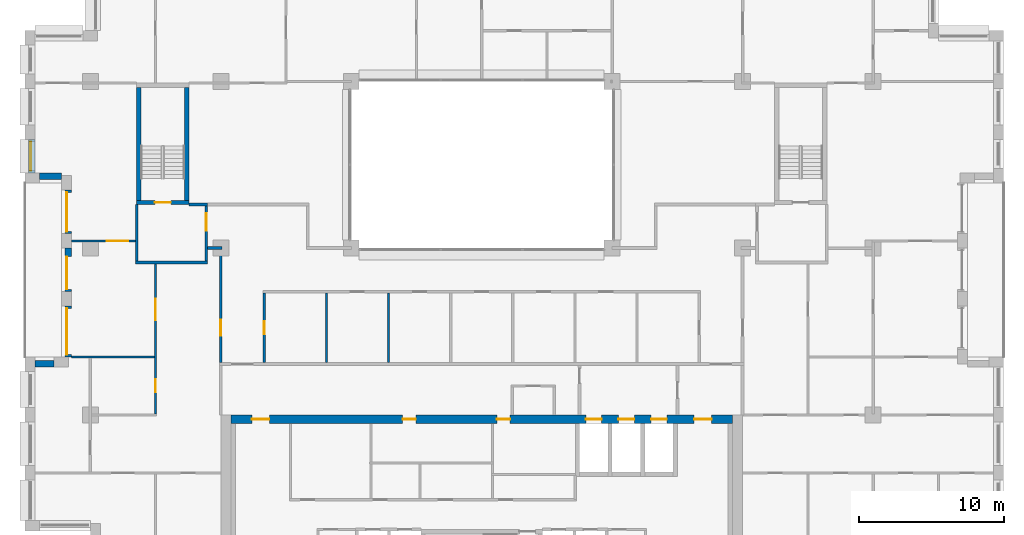
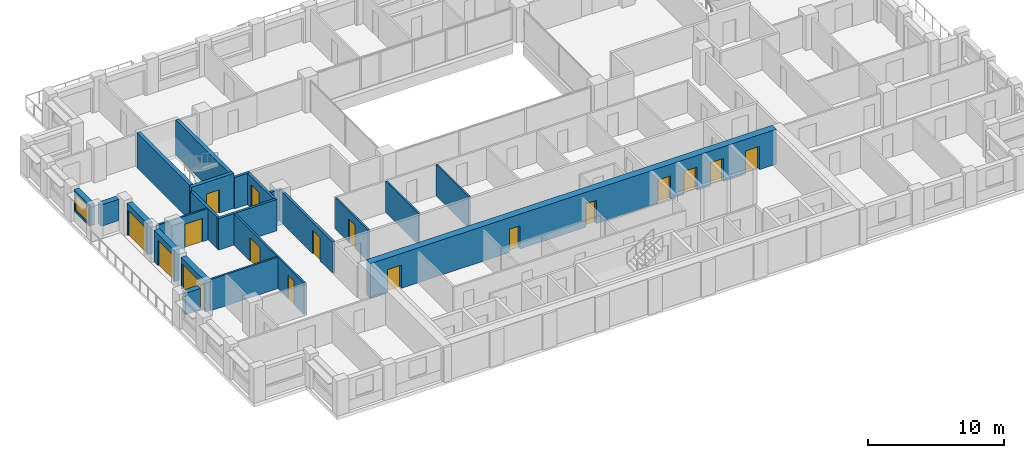
# One storey, part 9 of 15: 22 walls, 17 doors, 1 window, 18 openings.
"""IFC4 building model written with IfcOpenShell, lengths in metres."""

import ifcopenshell
import ifcopenshell.guid

model = None  # the IFC model being written
_history = None  # IfcOwnerHistory: only IFC2X3 demands one
_inside = {}  # id of a spatial element -> (the spatial element, [elements in it])
_under = {}  # id of a project, library or spatial element -> (it, [spatial elements below it])
_declared = {}  # id of a project -> (the project, [libraries it declares])
_typed = {}  # id of a type object -> (the type object, [elements of that type])
_made_of = {}  # id of a material, layer set ... -> (it, [elements and type objects made of it])


def new_model(schema):
    """Start an empty IFC model of exactly this schema.

    Asked for "IFC4X3", IfcOpenShell would pick the latest addendum, in which some entities
    have other attributes; the version numbers below select the first issue.
    IFC2X3 requires an IfcOwnerHistory on every rooted entity: one is made here for all.
    """
    global model, _history
    if schema == "IFC4X3":
        model = ifcopenshell.file(schema_version=(4, 3, 0, 0))
    else:
        model = ifcopenshell.file(schema=schema)
    _inside.clear()
    _under.clear()
    _declared.clear()
    _typed.clear()
    _made_of.clear()
    _history = None
    if model.schema == "IFC2X3":
        org = make("IfcOrganization", Name="unknown")
        user = make(
            "IfcPersonAndOrganization",
            ThePerson=make("IfcPerson", FamilyName="unknown"),
            TheOrganization=org,
        )
        app = make(
            "IfcApplication",
            ApplicationDeveloper=org,
            Version="unknown",
            ApplicationFullName="unknown",
            ApplicationIdentifier="unknown",
        )
        _history = make(
            "IfcOwnerHistory",
            OwningUser=user,
            OwningApplication=app,
            ChangeAction="ADDED",
            CreationDate=0,
        )
    return model


def make(cls, **values):
    """One entity of the class cls with the attributes given. An attribute that is None is left unset."""
    return model.create_entity(
        cls, **{name: value for name, value in values.items() if value is not None}
    )


def rooted(cls, **values):
    """An entity with a GlobalId (a new one), such as an element, a storey or a relation."""
    return make(cls, GlobalId=ifcopenshell.guid.new(), OwnerHistory=_history, **values)


def si_unit(unit_type, name, prefix=None):
    """IfcSIUnit, for example si_unit("LENGTHUNIT", "METRE", prefix="MILLI")."""
    return make("IfcSIUnit", UnitType=unit_type, Prefix=prefix, Name=name)


def assignment(units):
    """IfcUnitAssignment: the units of a project."""
    return None if units is None else make("IfcUnitAssignment", Units=units)


def point(xyz):
    """IfcCartesianPoint."""
    return None if xyz is None else make("IfcCartesianPoint", Coordinates=xyz)


def direction(xyz):
    """IfcDirection."""
    return None if xyz is None else make("IfcDirection", DirectionRatios=xyz)


def frame(location, z_axis=None, x_axis=None):
    """IfcAxis2Placement3D, a coordinate frame: its origin and axes. An axis left out is left unset."""
    return make(
        "IfcAxis2Placement3D",
        Location=point(location),
        Axis=direction(z_axis),
        RefDirection=direction(x_axis),
    )


def frame_2d(location, x_axis=None):
    """IfcAxis2Placement2D, a coordinate frame in the plane: its origin and x axis."""
    return make(
        "IfcAxis2Placement2D", Location=point(location), RefDirection=direction(x_axis)
    )


def origin():
    """The frame at (0, 0, 0) with its axes left unset."""
    return frame((0.0, 0.0, 0.0))


def place(relative_to, where):
    """IfcLocalPlacement: puts the frame where relative to a parent placement (None: the world)."""
    return make(
        "IfcLocalPlacement", PlacementRelTo=relative_to, RelativePlacement=where
    )


def context(
    kind, dimensions, precision=None, world=None, true_north=None, identifier=None
):
    """IfcGeometricRepresentationContext, for example the 3D "Model" context."""
    return make(
        "IfcGeometricRepresentationContext",
        ContextIdentifier=identifier,
        ContextType=kind,
        CoordinateSpaceDimension=dimensions,
        Precision=precision,
        WorldCoordinateSystem=world,
        TrueNorth=true_north,
    )


def subcontext(parent, identifier, kind, view, scale=None):
    """IfcGeometricRepresentationSubContext, for example "Body" below "Model"."""
    return make(
        "IfcGeometricRepresentationSubContext",
        ContextIdentifier=identifier,
        ContextType=kind,
        ParentContext=parent,
        TargetScale=scale,
        TargetView=view,
    )


def project(units=None, contexts=None):
    """IfcProject with its units and contexts."""
    return rooted(
        "IfcProject",
        Name="project",
        RepresentationContexts=contexts,
        UnitsInContext=assignment(units),
    )


def spatial(cls, under=None, at=None, **own):
    """A site, building, storey or space (cls), placed at a placement, below another one or the project."""
    s = rooted(cls, ObjectPlacement=at, **own)
    if under is not None:
        _under.setdefault(under.id(), (under, []))[1].append(s)
    return s


def profile(cls, at=None, kind="AREA", **sizes):
    """A parametric profile (cls). Its sizes go by their IFC names, for example OverallWidth=200.0."""
    return make(cls, ProfileType=kind, Position=at, **sizes)


def rectangle(**sizes):
    """IfcRectangleProfileDef."""
    return profile("IfcRectangleProfileDef", **sizes)


def extrude(swept, where, along, depth):
    """IfcExtrudedAreaSolid: the profile swept, set in the frame where, extruded along a direction by depth."""
    return make(
        "IfcExtrudedAreaSolid",
        SweptArea=swept,
        Position=where,
        ExtrudedDirection=direction(along),
        Depth=depth,
    )


def shape(context_of_items, identifier, shape_type, items):
    """IfcShapeRepresentation: the items that make up one representation, for example the "Body"."""
    return make(
        "IfcShapeRepresentation",
        ContextOfItems=context_of_items,
        RepresentationIdentifier=identifier,
        RepresentationType=shape_type,
        Items=items,
    )


def material(Name=None, Category=None):
    """IfcMaterial."""
    return make("IfcMaterial", Name=Name, Category=Category)


def layer(
    of_material, thickness, ventilated=None, Name=None, Category=None, Priority=None
):
    """IfcMaterialLayer: one layer of a wall or slab, of a material (None: an air gap)."""
    return make(
        "IfcMaterialLayer",
        Material=of_material,
        LayerThickness=thickness,
        IsVentilated=ventilated,
        Name=Name,
        Category=Category,
        Priority=Priority,
    )


def layer_set(layers, Name=None):
    """IfcMaterialLayerSet."""
    return make("IfcMaterialLayerSet", MaterialLayers=layers, LayerSetName=Name)


def made_of(thing, what):
    """Note that an element or type object is made of a material, layer set ...; save() writes the relation."""
    if what is not None:
        _made_of.setdefault(what.id(), (what, []))[1].append(thing)
    return thing


def type_object(cls, material=None, **own):
    """A type object (cls), such as IfcWallType, which elements share."""
    return made_of(rooted(cls, **own), material)


def element(
    cls,
    number,
    at=None,
    inside=None,
    cuts=None,
    type_object=None,
    material=None,
    context=None,
    identifier="Body",
    shape_type=None,
    held_by="IfcProductDefinitionShape",
    body=None,
    shapes=None,
    **own,
):
    """One element of the class cls, such as IfcWall. Its Tag is "e" and its number.

    at: its placement. inside: the storey or other place that contains it. cuts: it is an
    opening in that element (IfcRelVoidsElement). A single representation is given by context,
    identifier, shape_type and body (its items); several are given by shapes. held_by: the class
    of the entity that holds the representations. save() writes the other relations.
    """
    e = rooted(cls, Tag="e%d" % number, ObjectPlacement=at, **own)
    if body is not None:
        shapes = [shape(context, identifier, shape_type, body)]
    if shapes is not None:
        e.Representation = make(held_by, Representations=shapes)
    if inside is not None:
        _inside.setdefault(inside.id(), (inside, []))[1].append(e)
    if cuts is not None:
        rooted(
            "IfcRelVoidsElement", RelatingBuildingElement=cuts, RelatedOpeningElement=e
        )
    if type_object is not None:
        _typed.setdefault(type_object.id(), (type_object, []))[1].append(e)
    return made_of(e, material)


def fill(opening, filler):
    """IfcRelFillsElement: the door or window that sits in an opening."""
    return rooted(
        "IfcRelFillsElement",
        RelatingOpeningElement=opening,
        RelatedBuildingElement=filler,
    )


def aggregate(whole, parts):
    """IfcRelAggregates: a whole, such as a stair, and the parts it consists of."""
    return rooted("IfcRelAggregates", RelatingObject=whole, RelatedObjects=parts)


def save(model, path):
    """Write the relations noted so far, then the file.

    IfcRelAggregates (storeys below a building ...), IfcRelContainedInSpatialStructure (elements
    in a storey), IfcRelDefinesByType, IfcRelAssociatesMaterial and IfcRelDeclares: one each for
    every whole, place, type object, material and project.
    """
    for whole, parts in _under.values():
        aggregate(whole, parts)
    for where, things in _inside.values():
        rooted(
            "IfcRelContainedInSpatialStructure",
            RelatedElements=things,
            RelatingStructure=where,
        )
    for kind, things in _typed.values():
        rooted("IfcRelDefinesByType", RelatedObjects=things, RelatingType=kind)
    for what, things in _made_of.values():
        rooted("IfcRelAssociatesMaterial", RelatedObjects=things, RelatingMaterial=what)
    for by, libraries in _declared.values():
        rooted("IfcRelDeclares", RelatingContext=by, RelatedDefinitions=libraries)
    model.write(path)


model = new_model("IFC4")

# Units and contexts
model_context = context("Model", 3, precision=1e-05, world=origin(), true_north=direction((0.0, 1.0)))
body_context = subcontext(model_context, "Body", "Model", "MODEL_VIEW")
ifc_project = project(units=[si_unit("LENGTHUNIT", "METRE"), si_unit("AREAUNIT", "SQUARE_METRE"), si_unit("VOLUMEUNIT", "CUBIC_METRE"), si_unit("PLANEANGLEUNIT", "RADIAN"), si_unit("MASSUNIT", "GRAM", prefix="KILO")], contexts=[model_context])

# Site, building, storey
site_placement = place(None, origin())
site = spatial("IfcSite", under=ifc_project, at=site_placement, CompositionType="ELEMENT")
building_placement = place(site_placement, origin())
building = spatial("IfcBuilding", under=site, at=building_placement, Name="Brigalow Station Residences", CompositionType="ELEMENT")
storey_placement = place(building_placement, frame((0.0, 0.0, 172.800048828125)))
storey = spatial("IfcBuildingStorey", under=building, at=storey_placement, Name="L50", CompositionType="ELEMENT", Elevation=172.800048828125)

# Wall, opening, window
ifc_material_1 = material(Name="Clay brick masonry", Category="masonry")
ifc_layer_1 = layer(ifc_material_1, 0.449951171875)
ifc_layer_set_1 = layer_set([ifc_layer_1], Name="BRICK INFILL WALL 450")
wall_type_1 = type_object("IfcWallType", Name="BRICK INFILL WALL 450", PredefinedType="SOLIDWALL", material=ifc_layer_set_1)
wall_1_placement = place(storey_placement, frame((4.97509765625, 31.5, 0.89990234375), z_axis=(0.0, 0.0, 1.0), x_axis=(0.0, -1.0, 0.0)))
wall_1 = element("IfcWall", 1, at=wall_1_placement, inside=storey, type_object=wall_type_1, Name="L50/ewall/W-L50-39", PredefinedType="SOLIDWALL", context=body_context, shape_type="SweptSolid", body=[
    extrude(rectangle(XDim=2.300048828125, YDim=0.449951171875, at=frame_2d((1.14990234375, 0.0))), origin(), (0.0, 0.0, 1.0), 1.929931640625),
])
opening_1_placement = place(wall_1_placement, frame((0.14990234375, 0.0, 0.14990234375)))
opening_1 = element("IfcOpeningElement", 2, at=opening_1_placement, cuts=wall_1, Name="Opening WT-7", PredefinedType="OPENING", context=body_context, shape_type="SweptSolid", body=[
    extrude(rectangle(XDim=2.0, YDim=1.5, at=frame_2d((1.0, 0.75))), frame((0.0, 0.23486328125, 0.0), z_axis=(0.0, -1.0, 0.0), x_axis=(1.0, 0.0, 0.0)), (0.0, 0.0, 1.0), 0.469970703125),
])
ifc_material_2 = material(Name="Anodised aluminium frame with double glazing", Category="aluminium")
window_type = type_object("IfcWindowType", Name="WINDOW 2000x1500", PartitioningType="SINGLE_PANEL", PredefinedType="WINDOW", material=ifc_material_2)
window_placement = place(opening_1_placement, origin())
window = element("IfcWindow", 3, at=window_placement, inside=storey, type_object=window_type, Name="L50/window/W-L50-39", OverallHeight=1.5, OverallWidth=2.0, PartitioningType="SINGLE_PANEL", PredefinedType="WINDOW", context=body_context, shape_type="SweptSolid", body=[
    extrude(rectangle(XDim=2.0, YDim=1.5, at=frame_2d((1.0, 0.75))), frame((0.0, -0.06494140625, 0.0), z_axis=(0.0, -1.0, 0.0), x_axis=(1.0, 0.0, 0.0)), (0.0, 0.0, 1.0), 0.06005859375),
])
fill(opening_1, window)

# Wall
wall_2_placement = place(storey_placement, frame((5.5, 28.97509765625, 0.89990234375), z_axis=(0.0, 0.0, 1.0), x_axis=(1.0, 0.0, 0.0)))
element("IfcWall", 4, at=wall_2_placement, inside=storey, type_object=wall_type_1, Name="L50/ewall/W-L50-40", PredefinedType="SOLIDWALL", context=body_context, shape_type="SweptSolid", body=[
    extrude(rectangle(XDim=1.5, YDim=0.449951171875, at=frame_2d((0.75, 0.0))), origin(), (0.0, 0.0, 1.0), 1.929931640625),
])

# Wall, opening, door
wall_3_placement = place(storey_placement, frame((7.47509765625, 28.0, 0.0), z_axis=(0.0, 0.0, 1.0), x_axis=(0.0, -1.0, 0.0)))
wall_3 = element("IfcWall", 5, at=wall_3_placement, inside=storey, type_object=wall_type_1, Name="L50/ewall/W-L50-41", PredefinedType="SOLIDWALL", context=body_context, shape_type="SweptSolid", body=[
    extrude(rectangle(XDim=3.0, YDim=0.449951171875, at=frame_2d((1.5, 0.0))), origin(), (0.0, 0.0, 1.0), 2.829833984375),
])
opening_2_placement = place(wall_3_placement, frame((0.14990234375, 0.0, 0.0)))
opening_2 = element("IfcOpeningElement", 6, at=opening_2_placement, cuts=wall_3, Name="Opening D-B2700", PredefinedType="OPENING", context=body_context, shape_type="SweptSolid", body=[
    extrude(rectangle(XDim=2.699951171875, YDim=2.300048828125, at=frame_2d((1.35009765625, 1.14990234375))), frame((0.0, 0.23486328125, 0.0), z_axis=(0.0, -1.0, 0.0), x_axis=(1.0, 0.0, 0.0)), (0.0, 0.0, 1.0), 0.469970703125),
])
ifc_material_3 = material(Name="Anodised aluminium frame with double glazing", Category="aluminium")
door_type_1 = type_object("IfcDoorType", Name="BALCONY SLIDING DOOR 2700x2300", OperationType="SLIDING_TO_LEFT", PredefinedType="DOOR", material=ifc_material_3)
door_1_placement = place(opening_2_placement, origin())
door_1 = element("IfcDoor", 7, at=door_1_placement, inside=storey, type_object=door_type_1, Name="L50/balcony-door/W-L50-41", OperationType="SLIDING_TO_LEFT", OverallHeight=2.300048828125, OverallWidth=2.699951171875, PredefinedType="DOOR", context=body_context, shape_type="SweptSolid", body=[
    extrude(rectangle(XDim=2.699951171875, YDim=2.300048828125, at=frame_2d((1.35009765625, 1.14990234375))), frame((0.0, -0.06982421875, 0.0), z_axis=(0.0, -1.0, 0.0), x_axis=(1.0, 0.0, 0.0)), (0.0, 0.0, 1.0), 0.050048828125),
])
fill(opening_2, door_1)

wall_4_placement = place(storey_placement, frame((7.47509765625, 24.0, 0.0), z_axis=(0.0, 0.0, 1.0), x_axis=(0.0, -1.0, 0.0)))
wall_4 = element("IfcWall", 8, at=wall_4_placement, inside=storey, type_object=wall_type_1, Name="L50/ewall/W-L50-42", PredefinedType="SOLIDWALL", context=body_context, shape_type="SweptSolid", body=[
    extrude(rectangle(XDim=3.0, YDim=0.449951171875, at=frame_2d((1.5, 0.0))), origin(), (0.0, 0.0, 1.0), 2.829833984375),
])
opening_3_placement = place(wall_4_placement, frame((0.5849609375, 0.0, 0.0)))
opening_3 = element("IfcOpeningElement", 9, at=opening_3_placement, cuts=wall_4, Name="Opening D-B2250", PredefinedType="OPENING", context=body_context, shape_type="SweptSolid", body=[
    extrude(rectangle(XDim=2.25, YDim=2.300048828125, at=frame_2d((1.125, 1.14990234375))), frame((0.0, 0.23486328125, 0.0), z_axis=(0.0, -1.0, 0.0), x_axis=(1.0, 0.0, 0.0)), (0.0, 0.0, 1.0), 0.469970703125),
])
ifc_material_4 = material(Name="Anodised aluminium frame with double glazing", Category="aluminium")
door_type_2 = type_object("IfcDoorType", Name="BALCONY SLIDING DOOR 2250x2300", OperationType="SLIDING_TO_LEFT", PredefinedType="DOOR", material=ifc_material_4)
door_2_placement = place(opening_3_placement, origin())
door_2 = element("IfcDoor", 10, at=door_2_placement, inside=storey, type_object=door_type_2, Name="L50/balcony-door/W-L50-42", OperationType="SLIDING_TO_LEFT", OverallHeight=2.300048828125, OverallWidth=2.25, PredefinedType="DOOR", context=body_context, shape_type="SweptSolid", body=[
    extrude(rectangle(XDim=2.25, YDim=2.300048828125, at=frame_2d((1.125, 1.14990234375))), frame((0.0, -0.06982421875, 0.0), z_axis=(0.0, -1.0, 0.0), x_axis=(1.0, 0.0, 0.0)), (0.0, 0.0, 1.0), 0.050048828125),
])
fill(opening_3, door_2)

wall_5_placement = place(storey_placement, frame((7.47509765625, 20.0, 0.0), z_axis=(0.0, 0.0, 1.0), x_axis=(0.0, -1.0, 0.0)))
wall_5 = element("IfcWall", 11, at=wall_5_placement, inside=storey, type_object=wall_type_1, Name="L50/ewall/W-L50-43", PredefinedType="SOLIDWALL", context=body_context, shape_type="SweptSolid", body=[
    extrude(rectangle(XDim=3.5, YDim=0.449951171875, at=frame_2d((1.75, 0.0))), origin(), (0.0, 0.0, 1.0), 2.829833984375),
])
opening_4_placement = place(wall_5_placement, frame((0.14990234375, 0.0, 0.0)))
opening_4 = element("IfcOpeningElement", 12, at=opening_4_placement, cuts=wall_5, Name="Opening D-B3200", PredefinedType="OPENING", context=body_context, shape_type="SweptSolid", body=[
    extrude(rectangle(XDim=3.199951171875, YDim=2.300048828125, at=frame_2d((1.60009765625, 1.14990234375))), frame((0.0, 0.23486328125, 0.0), z_axis=(0.0, -1.0, 0.0), x_axis=(1.0, 0.0, 0.0)), (0.0, 0.0, 1.0), 0.469970703125),
])
ifc_material_5 = material(Name="Anodised aluminium frame with double glazing", Category="aluminium")
door_type_3 = type_object("IfcDoorType", Name="BALCONY SLIDING DOOR 3200x2300", OperationType="SLIDING_TO_LEFT", PredefinedType="DOOR", material=ifc_material_5)
door_3_placement = place(opening_4_placement, origin())
door_3 = element("IfcDoor", 13, at=door_3_placement, inside=storey, type_object=door_type_3, Name="L50/balcony-door/W-L50-43", OperationType="SLIDING_TO_LEFT", OverallHeight=2.300048828125, OverallWidth=3.199951171875, PredefinedType="DOOR", context=body_context, shape_type="SweptSolid", body=[
    extrude(rectangle(XDim=3.199951171875, YDim=2.300048828125, at=frame_2d((1.60009765625, 1.14990234375))), frame((0.0, -0.06982421875, 0.0), z_axis=(0.0, -1.0, 0.0), x_axis=(1.0, 0.0, 0.0)), (0.0, 0.0, 1.0), 0.050048828125),
])
fill(opening_4, door_3)

# Wall
wall_6_placement = place(storey_placement, frame((6.5, 16.02490234375, 0.89990234375), z_axis=(0.0, 0.0, 1.0), x_axis=(-1.0, 0.0, 0.0)))
element("IfcWall", 14, at=wall_6_placement, inside=storey, type_object=wall_type_1, Name="L50/ewall/W-L50-44", PredefinedType="SOLIDWALL", context=body_context, shape_type="SweptSolid", body=[
    extrude(rectangle(XDim=1.300048828125, YDim=0.449951171875, at=frame_2d((0.64990234375, 0.0))), origin(), (0.0, 0.0, 1.0), 1.929931640625),
])

# Wall, opening, door
ifc_material_6 = material(Name="Concrete C65", Category="concrete")
ifc_layer_2 = layer(ifc_material_6, 0.300048828125)
ifc_layer_set_2 = layer_set([ifc_layer_2], Name="CORE SHEAR WALL 300 C65")
wall_type_2 = type_object("IfcWallType", Name="CORE SHEAR WALL 300 C65", PredefinedType="SHEAR", material=ifc_layer_set_2)
wall_7_placement = place(storey_placement, frame((12.199951171875, 27.14990234375, 0.0), z_axis=(0.0, 0.0, 1.0), x_axis=(1.0, 0.0, 0.0)))
wall_7 = element("IfcWall", 15, at=wall_7_placement, inside=storey, type_object=wall_type_2, Name="CORE WALL ST-S1-S L50", PredefinedType="SHEAR", context=body_context, shape_type="SweptSolid", body=[
    extrude(rectangle(XDim=3.60009765625, YDim=0.300048828125, at=frame_2d((1.800048828125, 0.0))), origin(), (0.0, 0.0, 1.0), 3.14990234375),
])
opening_5_placement = place(wall_7_placement, frame((1.25, 0.0, 0.0)))
opening_5 = element("IfcOpeningElement", 16, at=opening_5_placement, cuts=wall_7, Name="Opening D-5015", PredefinedType="OPENING", context=body_context, shape_type="SweptSolid", body=[
    extrude(rectangle(XDim=1.10009765625, YDim=2.10009765625, at=frame_2d((0.550048828125, 1.050048828125))), frame((0.0, 0.16015625, 0.0), z_axis=(0.0, -1.0, 0.0), x_axis=(1.0, 0.0, 0.0)), (0.0, 0.0, 1.0), 0.320068359375),
])
ifc_material_7 = material(Name="Steel fire door leaf in steel frame", Category="steel")
door_type_4 = type_object("IfcDoorType", Name="STAIR DOOR 1100 x 2100 FD60S", OperationType="SINGLE_SWING_LEFT", PredefinedType="DOOR", material=ifc_material_7)
door_4_placement = place(opening_5_placement, origin())
door_4 = element("IfcDoor", 17, at=door_4_placement, inside=storey, type_object=door_type_4, Name="D-5015", OperationType="SINGLE_SWING_LEFT", OverallHeight=2.10009765625, OverallWidth=1.10009765625, PredefinedType="DOOR", context=body_context, shape_type="SweptSolid", body=[
    extrude(rectangle(XDim=1.10009765625, YDim=2.10009765625, at=frame_2d((0.550048828125, 1.050048828125))), frame((0.0, 0.02490234375, 0.0), z_axis=(0.0, -1.0, 0.0), x_axis=(1.0, 0.0, 0.0)), (0.0, 0.0, 1.0), 0.050048828125),
])
fill(opening_5, door_4)

# Walls
for number, where, z_axis, x_axis, name in (
    (18, (12.35009765625, 27.300048828125, 0.0), (0.0, 0.0, 1.0), (0.0, 1.0, 0.0), "CORE WALL ST-S1-W L50"),
    (19, (15.64990234375, 27.300048828125, 0.0), (0.0, 0.0, 1.0), (0.0, 1.0, 0.0), "CORE WALL ST-S1-E L50"),
):
    element("IfcWall", number, at=place(storey_placement, frame(where, z_axis=z_axis, x_axis=x_axis)), inside=storey, type_object=wall_type_2, Name=name, PredefinedType="SHEAR", context=body_context, shape_type="SweptSolid", body=[
        extrude(rectangle(XDim=7.800048828125, YDim=0.300048828125, at=frame_2d((3.89990234375, 0.0))), origin(), (0.0, 0.0, 1.0), 3.14990234375),
    ])

# Wall, openings, doors
ifc_material_8 = material(Name="Concrete C65", Category="concrete")
ifc_layer_3 = layer(ifc_material_8, 0.60009765625)
ifc_layer_set_3 = layer_set([ifc_layer_3], Name="CORE SHEAR WALL 600 C65")
wall_type_3 = type_object("IfcWallType", Name="CORE SHEAR WALL 600 C65", PredefinedType="SHEAR", material=ifc_layer_set_3)
wall_8_placement = place(storey_placement, frame((18.699951171875, 12.199951171875, 0.0), z_axis=(0.0, 0.0, 1.0), x_axis=(1.0, 0.0, 0.0)))
wall_8 = element("IfcWall", 20, at=wall_8_placement, inside=storey, type_object=wall_type_3, Name="CORE WALL OUT-N L50", PredefinedType="SHEAR", context=body_context, shape_type="SweptSolid", body=[
    extrude(rectangle(XDim=34.60009765625, YDim=0.60009765625, at=frame_2d((17.300048828125, 0.0))), origin(), (0.0, 0.0, 1.0), 3.14990234375),
])
opening_6_placement = place(wall_8_placement, frame((24.47509765625, 0.0, 0.0)))
opening_6 = element("IfcOpeningElement", 21, at=opening_6_placement, cuts=wall_8, Name="Opening LD-LF1", PredefinedType="OPENING", context=body_context, shape_type="SweptSolid", body=[
    extrude(rectangle(XDim=1.10009765625, YDim=2.10009765625, at=frame_2d((0.550048828125, 1.050048828125))), frame((0.0, 0.31005859375, 0.0), z_axis=(0.0, -1.0, 0.0), x_axis=(1.0, 0.0, 0.0)), (0.0, 0.0, 1.0), 0.6201171875),
])
opening_7_placement = place(wall_8_placement, frame((26.72509765625, 0.0, 0.0)))
opening_7 = element("IfcOpeningElement", 22, at=opening_7_placement, cuts=wall_8, Name="Opening LD-LF2", PredefinedType="OPENING", context=body_context, shape_type="SweptSolid", body=[
    extrude(rectangle(XDim=1.10009765625, YDim=2.10009765625, at=frame_2d((0.550048828125, 1.050048828125))), frame((0.0, 0.31005859375, 0.0), z_axis=(0.0, -1.0, 0.0), x_axis=(1.0, 0.0, 0.0)), (0.0, 0.0, 1.0), 0.6201171875),
])
opening_8_placement = place(wall_8_placement, frame((28.97509765625, 0.0, 0.0)))
opening_8 = element("IfcOpeningElement", 23, at=opening_8_placement, cuts=wall_8, Name="Opening LD-LG1", PredefinedType="OPENING", context=body_context, shape_type="SweptSolid", body=[
    extrude(rectangle(XDim=1.10009765625, YDim=2.10009765625, at=frame_2d((0.550048828125, 1.050048828125))), frame((0.0, 0.31005859375, 0.0), z_axis=(0.0, -1.0, 0.0), x_axis=(1.0, 0.0, 0.0)), (0.0, 0.0, 1.0), 0.6201171875),
])
opening_9_placement = place(wall_8_placement, frame((11.85009765625, 0.0, 0.0)))
opening_9 = element("IfcOpeningElement", 24, at=opening_9_placement, cuts=wall_8, Name="Opening D-5122", PredefinedType="OPENING", context=body_context, shape_type="SweptSolid", body=[
    extrude(rectangle(XDim=0.89990234375, YDim=2.10009765625, at=frame_2d((0.449951171875, 1.050048828125))), frame((0.0, 0.31005859375, 0.0), z_axis=(0.0, -1.0, 0.0), x_axis=(1.0, 0.0, 0.0)), (0.0, 0.0, 1.0), 0.6201171875),
])
opening_10_placement = place(wall_8_placement, frame((18.35009765625, 0.0, 0.0)))
opening_10 = element("IfcOpeningElement", 25, at=opening_10_placement, cuts=wall_8, Name="Opening D-5119", PredefinedType="OPENING", context=body_context, shape_type="SweptSolid", body=[
    extrude(rectangle(XDim=0.89990234375, YDim=2.10009765625, at=frame_2d((0.449951171875, 1.050048828125))), frame((0.0, 0.31005859375, 0.0), z_axis=(0.0, -1.0, 0.0), x_axis=(1.0, 0.0, 0.0)), (0.0, 0.0, 1.0), 0.6201171875),
])
opening_11_placement = place(wall_8_placement, frame((1.449951171875, 0.0, 0.0)))
opening_11 = element("IfcOpeningElement", 26, at=opening_11_placement, cuts=wall_8, Name="Opening D-5011", PredefinedType="OPENING", context=body_context, shape_type="SweptSolid", body=[
    extrude(rectangle(XDim=1.199951171875, YDim=2.10009765625, at=frame_2d((0.60009765625, 1.050048828125))), frame((0.0, 0.31005859375, 0.0), z_axis=(0.0, -1.0, 0.0), x_axis=(1.0, 0.0, 0.0)), (0.0, 0.0, 1.0), 0.6201171875),
])
opening_12_placement = place(wall_8_placement, frame((31.949951171875, 0.0, 0.0)))
opening_12 = element("IfcOpeningElement", 27, at=opening_12_placement, cuts=wall_8, Name="Opening D-5012", PredefinedType="OPENING", context=body_context, shape_type="SweptSolid", body=[
    extrude(rectangle(XDim=1.199951171875, YDim=2.10009765625, at=frame_2d((0.60009765625, 1.050048828125))), frame((0.0, 0.31005859375, 0.0), z_axis=(0.0, -1.0, 0.0), x_axis=(1.0, 0.0, 0.0)), (0.0, 0.0, 1.0), 0.6201171875),
])
ifc_material_9 = material(Name="Steel fire door leaf in steel frame", Category="steel")
door_type_5 = type_object("IfcDoorType", Name="CORE CORRIDOR DOOR 1200 x 2100 FD60S", OperationType="SINGLE_SWING_LEFT", PredefinedType="DOOR", material=ifc_material_9)
door_5_placement = place(opening_11_placement, frame((1.199951171875, 0.0, 0.0), z_axis=(0.0, 0.0, 1.0), x_axis=(-1.0, 0.0, 0.0)))
door_5 = element("IfcDoor", 28, at=door_5_placement, inside=storey, type_object=door_type_5, Name="D-5011", OperationType="SINGLE_SWING_LEFT", OverallHeight=2.10009765625, OverallWidth=1.199951171875, PredefinedType="DOOR", context=body_context, shape_type="SweptSolid", body=[
    extrude(rectangle(XDim=1.199951171875, YDim=2.10009765625, at=frame_2d((0.60009765625, 1.050048828125))), frame((0.0, 0.02490234375, 0.0), z_axis=(0.0, -1.0, 0.0), x_axis=(1.0, 0.0, 0.0)), (0.0, 0.0, 1.0), 0.050048828125),
])
fill(opening_11, door_5)
door_6_placement = place(opening_12_placement, frame((1.199951171875, 0.0, 0.0), z_axis=(0.0, 0.0, 1.0), x_axis=(-1.0, 0.0, 0.0)))
door_6 = element("IfcDoor", 29, at=door_6_placement, inside=storey, type_object=door_type_5, Name="D-5012", OperationType="SINGLE_SWING_LEFT", OverallHeight=2.10009765625, OverallWidth=1.199951171875, PredefinedType="DOOR", context=body_context, shape_type="SweptSolid", body=[
    extrude(rectangle(XDim=1.199951171875, YDim=2.10009765625, at=frame_2d((0.60009765625, 1.050048828125))), frame((0.0, 0.02490234375, 0.0), z_axis=(0.0, -1.0, 0.0), x_axis=(1.0, 0.0, 0.0)), (0.0, 0.0, 1.0), 0.050048828125),
])
fill(opening_12, door_6)
ifc_material_10 = material(Name="Stainless steel sliding door leaves", Category="steel")
door_type_6 = type_object("IfcDoorType", Name="LIFT LANDING DOOR 1100 x 2100", OperationType="DOUBLE_DOOR_SLIDING", PredefinedType="DOOR", material=ifc_material_10)
door_7_placement = place(opening_6_placement, origin())
door_7 = element("IfcDoor", 30, at=door_7_placement, inside=storey, type_object=door_type_6, Name="LANDING DOOR LF1", OperationType="DOUBLE_DOOR_SLIDING", OverallHeight=2.10009765625, OverallWidth=1.10009765625, PredefinedType="DOOR", context=body_context, shape_type="SweptSolid", body=[
    extrude(rectangle(XDim=1.10009765625, YDim=2.10009765625, at=frame_2d((0.550048828125, 1.050048828125))), frame((0.0, 0.02490234375, 0.0), z_axis=(0.0, -1.0, 0.0), x_axis=(1.0, 0.0, 0.0)), (0.0, 0.0, 1.0), 0.050048828125),
])
fill(opening_6, door_7)
door_8_placement = place(opening_7_placement, origin())
door_8 = element("IfcDoor", 31, at=door_8_placement, inside=storey, type_object=door_type_6, Name="LANDING DOOR LF2", OperationType="DOUBLE_DOOR_SLIDING", OverallHeight=2.10009765625, OverallWidth=1.10009765625, PredefinedType="DOOR", context=body_context, shape_type="SweptSolid", body=[
    extrude(rectangle(XDim=1.10009765625, YDim=2.10009765625, at=frame_2d((0.550048828125, 1.050048828125))), frame((0.0, 0.02490234375, 0.0), z_axis=(0.0, -1.0, 0.0), x_axis=(1.0, 0.0, 0.0)), (0.0, 0.0, 1.0), 0.050048828125),
])
fill(opening_7, door_8)
door_9_placement = place(opening_8_placement, origin())
door_9 = element("IfcDoor", 32, at=door_9_placement, inside=storey, type_object=door_type_6, Name="LANDING DOOR LG1", OperationType="DOUBLE_DOOR_SLIDING", OverallHeight=2.10009765625, OverallWidth=1.10009765625, PredefinedType="DOOR", context=body_context, shape_type="SweptSolid", body=[
    extrude(rectangle(XDim=1.10009765625, YDim=2.10009765625, at=frame_2d((0.550048828125, 1.050048828125))), frame((0.0, 0.02490234375, 0.0), z_axis=(0.0, -1.0, 0.0), x_axis=(1.0, 0.0, 0.0)), (0.0, 0.0, 1.0), 0.050048828125),
])
fill(opening_8, door_9)
ifc_material_11 = material(Name="Steel door leaf in steel frame", Category="steel")
door_type_7 = type_object("IfcDoorType", Name="SERVICE ROOM DOOR 900 x 2100 FD60", OperationType="SINGLE_SWING_LEFT", PredefinedType="DOOR", material=ifc_material_11)
door_10_placement = place(opening_9_placement, frame((0.89990234375, 0.0, 0.0), z_axis=(0.0, 0.0, 1.0), x_axis=(-1.0, 0.0, 0.0)))
door_10 = element("IfcDoor", 33, at=door_10_placement, inside=storey, type_object=door_type_7, Name="D-5122", OperationType="SINGLE_SWING_RIGHT", OverallHeight=2.10009765625, OverallWidth=0.89990234375, PredefinedType="DOOR", context=body_context, shape_type="SweptSolid", body=[
    extrude(rectangle(XDim=0.89990234375, YDim=2.10009765625, at=frame_2d((0.449951171875, 1.050048828125))), frame((0.0, 0.02490234375, 0.0), z_axis=(0.0, -1.0, 0.0), x_axis=(1.0, 0.0, 0.0)), (0.0, 0.0, 1.0), 0.050048828125),
])
fill(opening_9, door_10)
door_11_placement = place(opening_10_placement, frame((0.89990234375, 0.0, 0.0), z_axis=(0.0, 0.0, 1.0), x_axis=(-1.0, 0.0, 0.0)))
door_11 = element("IfcDoor", 34, at=door_11_placement, inside=storey, type_object=door_type_7, Name="D-5119", OperationType="SINGLE_SWING_RIGHT", OverallHeight=2.10009765625, OverallWidth=0.89990234375, PredefinedType="DOOR", context=body_context, shape_type="SweptSolid", body=[
    extrude(rectangle(XDim=0.89990234375, YDim=2.10009765625, at=frame_2d((0.449951171875, 1.050048828125))), frame((0.0, 0.02490234375, 0.0), z_axis=(0.0, -1.0, 0.0), x_axis=(1.0, 0.0, 0.0)), (0.0, 0.0, 1.0), 0.050048828125),
])
fill(opening_10, door_11)

# Walls
ifc_material_12 = material(Name="Concrete blockwork", Category="masonry")
ifc_layer_4 = layer(ifc_material_12, 0.199951171875)
ifc_layer_set_4 = layer_set([ifc_layer_4], Name="FIRE RATED CORE PARTITION 200")
wall_type_4 = type_object("IfcWallType", Name="FIRE RATED CORE PARTITION 200", PredefinedType="PARTITIONING", material=ifc_layer_set_4)
wall_9_placement = place(storey_placement, frame((12.10009765625, 23.0, 0.0), z_axis=(0.0, 0.0, 1.0), x_axis=(1.0, 0.0, 0.0)))
element("IfcWall", 35, at=wall_9_placement, inside=storey, type_object=wall_type_4, Name="PW-5023", PredefinedType="PARTITIONING", context=body_context, shape_type="SweptSolid", body=[
    extrude(rectangle(XDim=5.0, YDim=0.199951171875, at=frame_2d((2.5, 0.0))), origin(), (0.0, 0.0, 1.0), 2.829833984375),
])
wall_10_placement = place(storey_placement, frame((15.800048828125, 27.0, 0.0), z_axis=(0.0, 0.0, 1.0), x_axis=(1.0, 0.0, 0.0)))
element("IfcWall", 36, at=wall_10_placement, inside=storey, type_object=wall_type_4, Name="PW-5025", PredefinedType="PARTITIONING", context=body_context, shape_type="SweptSolid", body=[
    extrude(rectangle(XDim=1.300048828125, YDim=0.199951171875, at=frame_2d((0.64990234375, 0.0))), origin(), (0.0, 0.0, 1.0), 2.829833984375),
])
wall_11_placement = place(storey_placement, frame((12.199951171875, 23.10009765625, 0.0), z_axis=(0.0, 0.0, 1.0), x_axis=(0.0, 1.0, 0.0)))
element("IfcWall", 37, at=wall_11_placement, inside=storey, type_object=wall_type_4, Name="PW-5034", PredefinedType="PARTITIONING", context=body_context, shape_type="SweptSolid", body=[
    extrude(rectangle(XDim=3.89990234375, YDim=0.199951171875, at=frame_2d((1.949951171875, 0.0))), origin(), (0.0, 0.0, 1.0), 2.829833984375),
])

# Wall, opening, door
wall_12_placement = place(storey_placement, frame((17.0, 23.10009765625, 0.0), z_axis=(0.0, 0.0, 1.0), x_axis=(0.0, 1.0, 0.0)))
wall_12 = element("IfcWall", 38, at=wall_12_placement, inside=storey, type_object=wall_type_4, Name="PW-5035", PredefinedType="PARTITIONING", context=body_context, shape_type="SweptSolid", body=[
    extrude(rectangle(XDim=3.7998046875, YDim=0.199951171875, at=frame_2d((1.89990234375, 0.0))), origin(), (0.0, 0.0, 1.0), 2.829833984375),
])
opening_13_placement = place(wall_12_placement, frame((2.10009765625, 0.0, 0.0)))
opening_13 = element("IfcOpeningElement", 39, at=opening_13_placement, cuts=wall_12, Name="Opening D-5016", PredefinedType="OPENING", context=body_context, shape_type="SweptSolid", body=[
    extrude(rectangle(XDim=1.199951171875, YDim=2.10009765625, at=frame_2d((0.60009765625, 1.050048828125))), frame((0.0, 0.10986328125, 0.0), z_axis=(0.0, -1.0, 0.0), x_axis=(1.0, 0.0, 0.0)), (0.0, 0.0, 1.0), 0.219970703125),
])
ifc_material_13 = material(Name="Steel fire door leaf in steel frame", Category="steel")
door_type_8 = type_object("IfcDoorType", Name="STAIR LOBBY DOOR 1200 x 2100 FD60S", OperationType="SINGLE_SWING_LEFT", PredefinedType="DOOR", material=ifc_material_13)
door_12_placement = place(opening_13_placement, origin())
door_12 = element("IfcDoor", 40, at=door_12_placement, inside=storey, type_object=door_type_8, Name="D-5016", OperationType="SINGLE_SWING_RIGHT", OverallHeight=2.10009765625, OverallWidth=1.199951171875, PredefinedType="DOOR", context=body_context, shape_type="SweptSolid", body=[
    extrude(rectangle(XDim=1.199951171875, YDim=2.10009765625, at=frame_2d((0.60009765625, 1.050048828125))), frame((0.0, 0.02490234375, 0.0), z_axis=(0.0, -1.0, 0.0), x_axis=(1.0, 0.0, 0.0)), (0.0, 0.0, 1.0), 0.050048828125),
])
fill(opening_13, door_12)

# Wall
ifc_material_14 = material(Name="Plasterboard on steel stud partition", Category="steel")
ifc_layer_5 = layer(ifc_material_14, 0.14990234375)
ifc_layer_set_5 = layer_set([ifc_layer_5], Name="FLAT PARTITION 150")
wall_type_5 = type_object("IfcWallType", Name="FLAT PARTITION 150", PredefinedType="PARTITIONING", material=ifc_layer_set_5)
wall_13_placement = place(storey_placement, frame((7.699951171875, 16.5, 0.0), z_axis=(0.0, 0.0, 1.0), x_axis=(1.0, 0.0, 0.0)))
element("IfcWall", 41, at=wall_13_placement, inside=storey, type_object=wall_type_5, Name="PW-3E11", PredefinedType="PARTITIONING", context=body_context, shape_type="SweptSolid", body=[
    extrude(rectangle(XDim=5.72509765625, YDim=0.14990234375, at=frame_2d((2.862548828125, 0.0))), origin(), (0.0, 0.0, 1.0), 2.829833984375),
])

# Wall, opening, door
wall_14_placement = place(storey_placement, frame((7.699951171875, 24.5, 0.0), z_axis=(0.0, 0.0, 1.0), x_axis=(1.0, 0.0, 0.0)))
wall_14 = element("IfcWall", 42, at=wall_14_placement, inside=storey, type_object=wall_type_5, Name="PW-3E15", PredefinedType="PARTITIONING", context=body_context, shape_type="SweptSolid", body=[
    extrude(rectangle(XDim=4.400146484375, YDim=0.14990234375, at=frame_2d((2.2001953125, 0.0))), origin(), (0.0, 0.0, 1.0), 2.829833984375),
])
opening_14_placement = place(wall_14_placement, frame((2.425048828125, 0.0, 0.0)))
opening_14 = element("IfcOpeningElement", 43, at=opening_14_placement, cuts=wall_14, Name="Opening D-3E09", PredefinedType="OPENING", context=body_context, shape_type="SweptSolid", body=[
    extrude(rectangle(XDim=1.5, YDim=2.10009765625, at=frame_2d((0.75, 1.050048828125))), frame((0.0, 0.0849609375, 0.0), z_axis=(0.0, -1.0, 0.0), x_axis=(1.0, 0.0, 0.0)), (0.0, 0.0, 1.0), 0.169921875),
])
ifc_material_15 = material(Name="Solid-core timber door leaf", Category="wood")
door_type_9 = type_object("IfcDoorType", Name="INTERNAL DOUBLE DOOR 1500 x 2100", OperationType="DOUBLE_DOOR_SINGLE_SWING", PredefinedType="DOOR", material=ifc_material_15)
door_13_placement = place(opening_14_placement, frame((1.5, 0.0, 0.0), z_axis=(0.0, 0.0, 1.0), x_axis=(-1.0, 0.0, 0.0)))
door_13 = element("IfcDoor", 44, at=door_13_placement, inside=storey, type_object=door_type_9, Name="D-3E09", OperationType="DOUBLE_DOOR_SINGLE_SWING", OverallHeight=2.10009765625, OverallWidth=1.5, PredefinedType="DOOR", context=body_context, shape_type="SweptSolid", body=[
    extrude(rectangle(XDim=1.5, YDim=2.10009765625, at=frame_2d((0.75, 1.050048828125))), frame((0.0, 0.02490234375, 0.0), z_axis=(0.0, -1.0, 0.0), x_axis=(1.0, 0.0, 0.0)), (0.0, 0.0, 1.0), 0.050048828125),
])
fill(opening_14, door_13)

wall_15_placement = place(storey_placement, frame((21.0, 16.10009765625, 0.0), z_axis=(0.0, 0.0, 1.0), x_axis=(0.0, 1.0, 0.0)))
wall_15 = element("IfcWall", 45, at=wall_15_placement, inside=storey, type_object=wall_type_5, Name="PW-3E31", PredefinedType="PARTITIONING", context=body_context, shape_type="SweptSolid", body=[
    extrude(rectangle(XDim=4.824951171875, YDim=0.14990234375, at=frame_2d((2.41259765625, 0.0))), origin(), (0.0, 0.0, 1.0), 2.829833984375),
])
opening_15_placement = place(wall_15_placement, frame((1.949951171875, 0.0, 0.0)))
opening_15 = element("IfcOpeningElement", 46, at=opening_15_placement, cuts=wall_15, Name="Opening D-3E35", PredefinedType="OPENING", context=body_context, shape_type="SweptSolid", body=[
    extrude(rectangle(XDim=0.89990234375, YDim=2.10009765625, at=frame_2d((0.449951171875, 1.050048828125))), frame((0.0, 0.0849609375, 0.0), z_axis=(0.0, -1.0, 0.0), x_axis=(1.0, 0.0, 0.0)), (0.0, 0.0, 1.0), 0.169921875),
])
ifc_material_16 = material(Name="Solid-core timber door leaf", Category="wood")
door_type_10 = type_object("IfcDoorType", Name="INTERNAL DOOR 900 x 2100", OperationType="SINGLE_SWING_LEFT", PredefinedType="DOOR", material=ifc_material_16)
door_14_placement = place(opening_15_placement, frame((0.89990234375, 0.0, 0.0), z_axis=(0.0, 0.0, 1.0), x_axis=(-1.0, 0.0, 0.0)))
door_14 = element("IfcDoor", 47, at=door_14_placement, inside=storey, type_object=door_type_10, Name="D-3E35", OperationType="SINGLE_SWING_RIGHT", OverallHeight=2.10009765625, OverallWidth=0.89990234375, PredefinedType="DOOR", context=body_context, shape_type="SweptSolid", body=[
    extrude(rectangle(XDim=0.89990234375, YDim=2.10009765625, at=frame_2d((0.449951171875, 1.050048828125))), frame((0.0, 0.02490234375, 0.0), z_axis=(0.0, -1.0, 0.0), x_axis=(1.0, 0.0, 0.0)), (0.0, 0.0, 1.0), 0.050048828125),
])
fill(opening_15, door_14)

# Wall, openings, doors
wall_16_placement = place(storey_placement, frame((13.5, 12.574951171875, 0.0), z_axis=(0.0, 0.0, 1.0), x_axis=(0.0, 1.0, 0.0)))
wall_16 = element("IfcWall", 48, at=wall_16_placement, inside=storey, type_object=wall_type_5, Name="PW-3E36", PredefinedType="PARTITIONING", context=body_context, shape_type="SweptSolid", body=[
    extrude(rectangle(XDim=10.324951171875, YDim=0.14990234375, at=frame_2d((5.16259765625, 0.0))), origin(), (0.0, 0.0, 1.0), 2.829833984375),
])
opening_16_placement = place(wall_16_placement, frame((1.47509765625, 0.0, 0.0)))
opening_16 = element("IfcOpeningElement", 49, at=opening_16_placement, cuts=wall_16, Name="Opening D-3E06", PredefinedType="OPENING", context=body_context, shape_type="SweptSolid", body=[
    extrude(rectangle(XDim=0.89990234375, YDim=2.10009765625, at=frame_2d((0.449951171875, 1.050048828125))), frame((0.0, 0.0849609375, 0.0), z_axis=(0.0, -1.0, 0.0), x_axis=(1.0, 0.0, 0.0)), (0.0, 0.0, 1.0), 0.169921875),
])
opening_17_placement = place(wall_16_placement, frame((6.449951171875, 0.0, 0.0)))
opening_17 = element("IfcOpeningElement", 50, at=opening_17_placement, cuts=wall_16, Name="Opening D-3E08", PredefinedType="OPENING", context=body_context, shape_type="SweptSolid", body=[
    extrude(rectangle(XDim=1.5, YDim=2.10009765625, at=frame_2d((0.75, 1.050048828125))), frame((0.0, 0.0849609375, 0.0), z_axis=(0.0, -1.0, 0.0), x_axis=(1.0, 0.0, 0.0)), (0.0, 0.0, 1.0), 0.169921875),
])
door_15_placement = place(opening_16_placement, origin())
door_15 = element("IfcDoor", 51, at=door_15_placement, inside=storey, type_object=door_type_10, Name="D-3E06", OperationType="SINGLE_SWING_RIGHT", OverallHeight=2.10009765625, OverallWidth=0.89990234375, PredefinedType="DOOR", context=body_context, shape_type="SweptSolid", body=[
    extrude(rectangle(XDim=0.89990234375, YDim=2.10009765625, at=frame_2d((0.449951171875, 1.050048828125))), frame((0.0, 0.02490234375, 0.0), z_axis=(0.0, -1.0, 0.0), x_axis=(1.0, 0.0, 0.0)), (0.0, 0.0, 1.0), 0.050048828125),
])
fill(opening_16, door_15)
door_16_placement = place(opening_17_placement, origin())
door_16 = element("IfcDoor", 52, at=door_16_placement, inside=storey, type_object=door_type_9, Name="D-3E08", OperationType="DOUBLE_DOOR_SINGLE_SWING", OverallHeight=2.10009765625, OverallWidth=1.5, PredefinedType="DOOR", context=body_context, shape_type="SweptSolid", body=[
    extrude(rectangle(XDim=1.5, YDim=2.10009765625, at=frame_2d((0.75, 1.050048828125))), frame((0.0, 0.02490234375, 0.0), z_axis=(0.0, -1.0, 0.0), x_axis=(1.0, 0.0, 0.0)), (0.0, 0.0, 1.0), 0.050048828125),
])
fill(opening_17, door_16)

# Walls
for number, where, z_axis, x_axis, name in (
    (53, (25.285888671875, 16.10009765625, 0.0), (0.0, 0.0, 1.0), (0.0, 1.0, 0.0), "PW-3E51"),
    (54, (29.571044921875, 16.10009765625, 0.0), (0.0, 0.0, 1.0), (0.0, 1.0, 0.0), "PW-3E52"),
):
    element("IfcWall", number, at=place(storey_placement, frame(where, z_axis=z_axis, x_axis=x_axis)), inside=storey, type_object=wall_type_5, Name=name, PredefinedType="PARTITIONING", context=body_context, shape_type="SweptSolid", body=[
        extrude(rectangle(XDim=4.824951171875, YDim=0.14990234375, at=frame_2d((2.41259765625, 0.0))), origin(), (0.0, 0.0, 1.0), 2.829833984375),
    ])
ifc_material_17 = material(Name="Plasterboard on steel stud partition", Category="steel")
ifc_layer_6 = layer(ifc_material_17, 0.199951171875)
ifc_layer_set_6 = layer_set([ifc_layer_6], Name="PARTY AND CORRIDOR WALL 200")
wall_type_6 = type_object("IfcWallType", Name="PARTY AND CORRIDOR WALL 200", PredefinedType="PARTITIONING", material=ifc_layer_set_6)
wall_17_placement = place(storey_placement, frame((17.10009765625, 24.0, 0.0), z_axis=(0.0, 0.0, 1.0), x_axis=(1.0, 0.0, 0.0)))
element("IfcWall", 55, at=wall_17_placement, inside=storey, type_object=wall_type_6, Name="PW-3E02", PredefinedType="PARTITIONING", context=body_context, shape_type="SweptSolid", body=[
    extrude(rectangle(XDim=1.0, YDim=0.199951171875, at=frame_2d((0.5, 0.0))), origin(), (0.0, 0.0, 1.0), 2.829833984375),
])

# Wall, opening, door
wall_18_placement = place(storey_placement, frame((18.0, 16.10009765625, 0.0), z_axis=(0.0, 0.0, 1.0), x_axis=(0.0, 1.0, 0.0)))
wall_18 = element("IfcWall", 56, at=wall_18_placement, inside=storey, type_object=wall_type_6, Name="PW-3E28", PredefinedType="PARTITIONING", context=body_context, shape_type="SweptSolid", body=[
    extrude(rectangle(XDim=7.7998046875, YDim=0.199951171875, at=frame_2d((3.89990234375, 0.0))), origin(), (0.0, 0.0, 1.0), 2.829833984375),
])
opening_18_placement = place(wall_18_placement, frame((1.85009765625, 0.0, 0.0)))
opening_18 = element("IfcOpeningElement", 57, at=opening_18_placement, cuts=wall_18, Name="Opening D-3E03", PredefinedType="OPENING", context=body_context, shape_type="SweptSolid", body=[
    extrude(rectangle(XDim=1.10009765625, YDim=2.10009765625, at=frame_2d((0.550048828125, 1.050048828125))), frame((0.0, 0.10986328125, 0.0), z_axis=(0.0, -1.0, 0.0), x_axis=(1.0, 0.0, 0.0)), (0.0, 0.0, 1.0), 0.219970703125),
])
ifc_material_18 = material(Name="Solid-core timber door leaf", Category="wood")
door_type_11 = type_object("IfcDoorType", Name="FLAT ENTRANCE DOOR 1100 x 2100 FRL -/60/30", OperationType="SINGLE_SWING_LEFT", PredefinedType="DOOR", material=ifc_material_18)
door_17_placement = place(opening_18_placement, origin())
door_17 = element("IfcDoor", 58, at=door_17_placement, inside=storey, type_object=door_type_11, Name="D-3E03", OperationType="SINGLE_SWING_RIGHT", OverallHeight=2.10009765625, OverallWidth=1.10009765625, PredefinedType="DOOR", context=body_context, shape_type="SweptSolid", body=[
    extrude(rectangle(XDim=1.10009765625, YDim=2.10009765625, at=frame_2d((0.550048828125, 1.050048828125))), frame((0.0, 0.02490234375, 0.0), z_axis=(0.0, -1.0, 0.0), x_axis=(1.0, 0.0, 0.0)), (0.0, 0.0, 1.0), 0.050048828125),
])
fill(opening_18, door_17)

save(model, "model.ifc")
